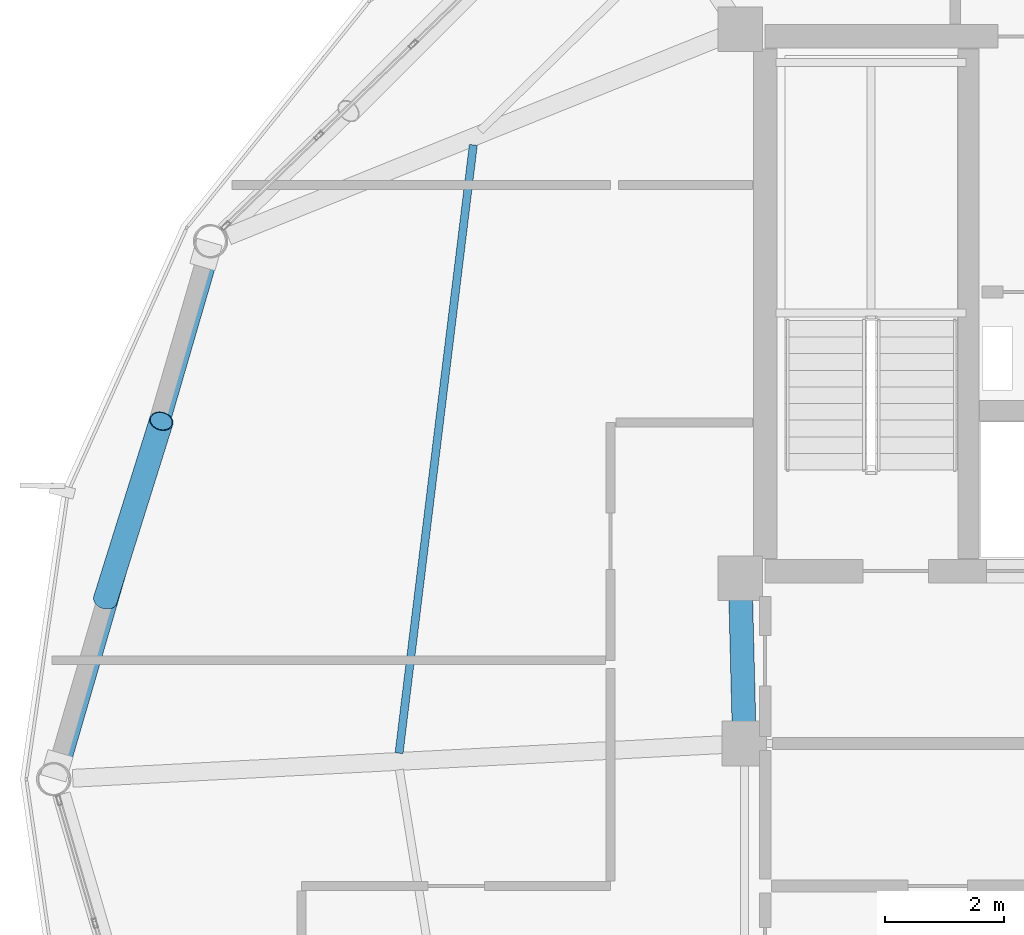
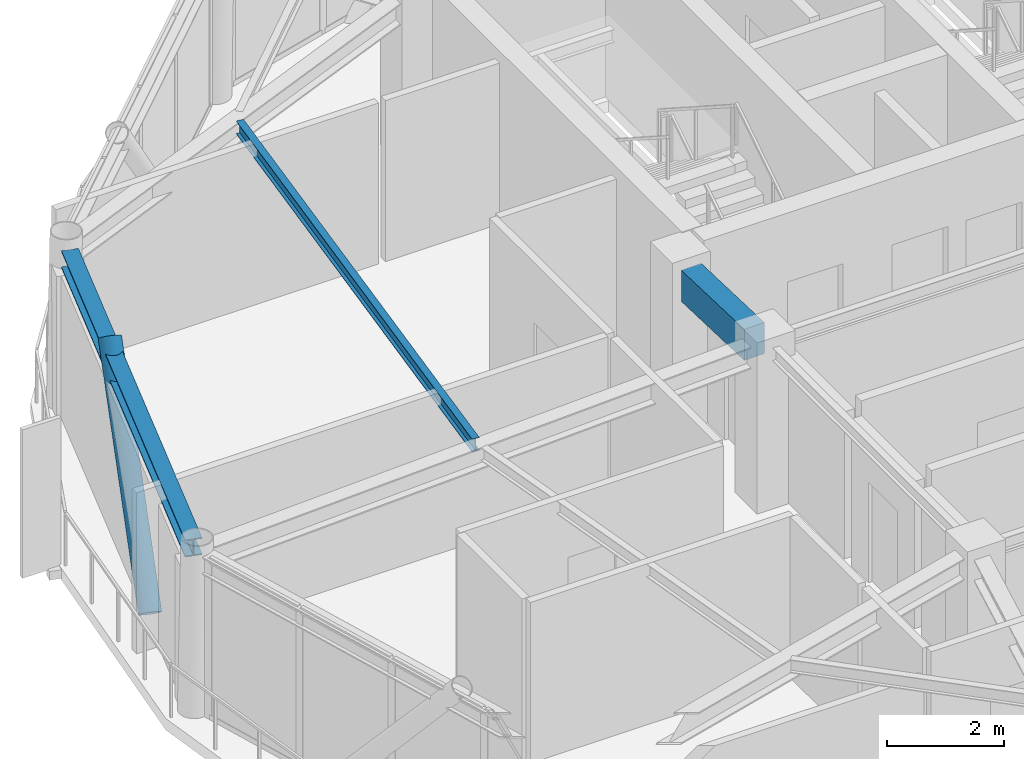
# One storey, part 12 of 27: 3 beams, 1 member.
"""IFC4 building model written with IfcOpenShell, lengths in metres."""

import ifcopenshell
import ifcopenshell.guid

model = None  # the IFC model being written
_history = None  # IfcOwnerHistory: only IFC2X3 demands one
_inside = {}  # id of a spatial element -> (the spatial element, [elements in it])
_under = {}  # id of a project, library or spatial element -> (it, [spatial elements below it])
_declared = {}  # id of a project -> (the project, [libraries it declares])
_typed = {}  # id of a type object -> (the type object, [elements of that type])
_made_of = {}  # id of a material, layer set ... -> (it, [elements and type objects made of it])


def new_model(schema):
    """Start an empty IFC model of exactly this schema.

    Asked for "IFC4X3", IfcOpenShell would pick the latest addendum, in which some entities
    have other attributes; the version numbers below select the first issue.
    IFC2X3 requires an IfcOwnerHistory on every rooted entity: one is made here for all.
    """
    global model, _history
    if schema == "IFC4X3":
        model = ifcopenshell.file(schema_version=(4, 3, 0, 0))
    else:
        model = ifcopenshell.file(schema=schema)
    _inside.clear()
    _under.clear()
    _declared.clear()
    _typed.clear()
    _made_of.clear()
    _history = None
    if model.schema == "IFC2X3":
        org = make("IfcOrganization", Name="unknown")
        user = make(
            "IfcPersonAndOrganization",
            ThePerson=make("IfcPerson", FamilyName="unknown"),
            TheOrganization=org,
        )
        app = make(
            "IfcApplication",
            ApplicationDeveloper=org,
            Version="unknown",
            ApplicationFullName="unknown",
            ApplicationIdentifier="unknown",
        )
        _history = make(
            "IfcOwnerHistory",
            OwningUser=user,
            OwningApplication=app,
            ChangeAction="ADDED",
            CreationDate=0,
        )
    return model


def make(cls, **values):
    """One entity of the class cls with the attributes given. An attribute that is None is left unset."""
    return model.create_entity(
        cls, **{name: value for name, value in values.items() if value is not None}
    )


def rooted(cls, **values):
    """An entity with a GlobalId (a new one), such as an element, a storey or a relation."""
    return make(cls, GlobalId=ifcopenshell.guid.new(), OwnerHistory=_history, **values)


def si_unit(unit_type, name, prefix=None):
    """IfcSIUnit, for example si_unit("LENGTHUNIT", "METRE", prefix="MILLI")."""
    return make("IfcSIUnit", UnitType=unit_type, Prefix=prefix, Name=name)


def assignment(units):
    """IfcUnitAssignment: the units of a project."""
    return None if units is None else make("IfcUnitAssignment", Units=units)


def point(xyz):
    """IfcCartesianPoint."""
    return None if xyz is None else make("IfcCartesianPoint", Coordinates=xyz)


def direction(xyz):
    """IfcDirection."""
    return None if xyz is None else make("IfcDirection", DirectionRatios=xyz)


def frame(location, z_axis=None, x_axis=None):
    """IfcAxis2Placement3D, a coordinate frame: its origin and axes. An axis left out is left unset."""
    return make(
        "IfcAxis2Placement3D",
        Location=point(location),
        Axis=direction(z_axis),
        RefDirection=direction(x_axis),
    )


def frame_2d(location, x_axis=None):
    """IfcAxis2Placement2D, a coordinate frame in the plane: its origin and x axis."""
    return make(
        "IfcAxis2Placement2D", Location=point(location), RefDirection=direction(x_axis)
    )


def origin():
    """The frame at (0, 0, 0) with its axes left unset."""
    return frame((0.0, 0.0, 0.0))


def origin_2d():
    """The frame at (0, 0) in the plane with its x axis left unset."""
    return frame_2d((0.0, 0.0))


def place(relative_to, where):
    """IfcLocalPlacement: puts the frame where relative to a parent placement (None: the world)."""
    return make(
        "IfcLocalPlacement", PlacementRelTo=relative_to, RelativePlacement=where
    )


def context(
    kind, dimensions, precision=None, world=None, true_north=None, identifier=None
):
    """IfcGeometricRepresentationContext, for example the 3D "Model" context."""
    return make(
        "IfcGeometricRepresentationContext",
        ContextIdentifier=identifier,
        ContextType=kind,
        CoordinateSpaceDimension=dimensions,
        Precision=precision,
        WorldCoordinateSystem=world,
        TrueNorth=true_north,
    )


def subcontext(parent, identifier, kind, view, scale=None):
    """IfcGeometricRepresentationSubContext, for example "Body" below "Model"."""
    return make(
        "IfcGeometricRepresentationSubContext",
        ContextIdentifier=identifier,
        ContextType=kind,
        ParentContext=parent,
        TargetScale=scale,
        TargetView=view,
    )


def project(units=None, contexts=None):
    """IfcProject with its units and contexts."""
    return rooted(
        "IfcProject",
        Name="project",
        RepresentationContexts=contexts,
        UnitsInContext=assignment(units),
    )


def spatial(cls, under=None, at=None, **own):
    """A site, building, storey or space (cls), placed at a placement, below another one or the project."""
    s = rooted(cls, ObjectPlacement=at, **own)
    if under is not None:
        _under.setdefault(under.id(), (under, []))[1].append(s)
    return s


def profile(cls, at=None, kind="AREA", **sizes):
    """A parametric profile (cls). Its sizes go by their IFC names, for example OverallWidth=200.0."""
    return make(cls, ProfileType=kind, Position=at, **sizes)


def rectangle(**sizes):
    """IfcRectangleProfileDef."""
    return profile("IfcRectangleProfileDef", **sizes)


def hollow_circle(**sizes):
    """IfcCircleHollowProfileDef."""
    return profile("IfcCircleHollowProfileDef", **sizes)


def i_section(**sizes):
    """IfcIShapeProfileDef."""
    return profile("IfcIShapeProfileDef", **sizes)


def extrude(swept, where, along, depth):
    """IfcExtrudedAreaSolid: the profile swept, set in the frame where, extruded along a direction by depth."""
    return make(
        "IfcExtrudedAreaSolid",
        SweptArea=swept,
        Position=where,
        ExtrudedDirection=direction(along),
        Depth=depth,
    )


def shape(context_of_items, identifier, shape_type, items):
    """IfcShapeRepresentation: the items that make up one representation, for example the "Body"."""
    return make(
        "IfcShapeRepresentation",
        ContextOfItems=context_of_items,
        RepresentationIdentifier=identifier,
        RepresentationType=shape_type,
        Items=items,
    )


def material(Name=None, Category=None):
    """IfcMaterial."""
    return make("IfcMaterial", Name=Name, Category=Category)


def material_profile(
    of_material, cross_section, Name=None, Category=None, Priority=None
):
    """IfcMaterialProfile: a cross section and its material."""
    return make(
        "IfcMaterialProfile",
        Name=Name,
        Material=of_material,
        Profile=cross_section,
        Priority=Priority,
        Category=Category,
    )


def profile_set(profiles, Name=None, composite=None):
    """IfcMaterialProfileSet."""
    return make(
        "IfcMaterialProfileSet",
        Name=Name,
        MaterialProfiles=profiles,
        CompositeProfile=composite,
    )


def made_of(thing, what):
    """Note that an element or type object is made of a material, layer set ...; save() writes the relation."""
    if what is not None:
        _made_of.setdefault(what.id(), (what, []))[1].append(thing)
    return thing


def type_object(cls, material=None, **own):
    """A type object (cls), such as IfcWallType, which elements share."""
    return made_of(rooted(cls, **own), material)


def element(
    cls,
    number,
    at=None,
    inside=None,
    cuts=None,
    type_object=None,
    material=None,
    context=None,
    identifier="Body",
    shape_type=None,
    held_by="IfcProductDefinitionShape",
    body=None,
    shapes=None,
    **own,
):
    """One element of the class cls, such as IfcWall. Its Tag is "e" and its number.

    at: its placement. inside: the storey or other place that contains it. cuts: it is an
    opening in that element (IfcRelVoidsElement). A single representation is given by context,
    identifier, shape_type and body (its items); several are given by shapes. held_by: the class
    of the entity that holds the representations. save() writes the other relations.
    """
    e = rooted(cls, Tag="e%d" % number, ObjectPlacement=at, **own)
    if body is not None:
        shapes = [shape(context, identifier, shape_type, body)]
    if shapes is not None:
        e.Representation = make(held_by, Representations=shapes)
    if inside is not None:
        _inside.setdefault(inside.id(), (inside, []))[1].append(e)
    if cuts is not None:
        rooted(
            "IfcRelVoidsElement", RelatingBuildingElement=cuts, RelatedOpeningElement=e
        )
    if type_object is not None:
        _typed.setdefault(type_object.id(), (type_object, []))[1].append(e)
    return made_of(e, material)


def aggregate(whole, parts):
    """IfcRelAggregates: a whole, such as a stair, and the parts it consists of."""
    return rooted("IfcRelAggregates", RelatingObject=whole, RelatedObjects=parts)


def save(model, path):
    """Write the relations noted so far, then the file.

    IfcRelAggregates (storeys below a building ...), IfcRelContainedInSpatialStructure (elements
    in a storey), IfcRelDefinesByType, IfcRelAssociatesMaterial and IfcRelDeclares: one each for
    every whole, place, type object, material and project.
    """
    for whole, parts in _under.values():
        aggregate(whole, parts)
    for where, things in _inside.values():
        rooted(
            "IfcRelContainedInSpatialStructure",
            RelatedElements=things,
            RelatingStructure=where,
        )
    for kind, things in _typed.values():
        rooted("IfcRelDefinesByType", RelatedObjects=things, RelatingType=kind)
    for what, things in _made_of.values():
        rooted("IfcRelAssociatesMaterial", RelatedObjects=things, RelatingMaterial=what)
    for by, libraries in _declared.values():
        rooted("IfcRelDeclares", RelatingContext=by, RelatedDefinitions=libraries)
    model.write(path)


model = new_model("IFC4")

# Units and contexts
model_context = context("Model", 3, precision=1e-05, world=origin(), true_north=direction((0.0, 1.0)))
body_context = subcontext(model_context, "Body", "Model", "MODEL_VIEW")
ifc_project = project(units=[si_unit("LENGTHUNIT", "METRE"), si_unit("AREAUNIT", "SQUARE_METRE"), si_unit("VOLUMEUNIT", "CUBIC_METRE"), si_unit("PLANEANGLEUNIT", "RADIAN"), si_unit("MASSUNIT", "GRAM", prefix="KILO")], contexts=[model_context])

# Site, building, storey
site_placement = place(None, origin())
site = spatial("IfcSite", under=ifc_project, at=site_placement, CompositionType="ELEMENT")
building_placement = place(site_placement, origin())
building = spatial("IfcBuilding", under=site, at=building_placement, Name="Varnakorn Sky Granary", CompositionType="ELEMENT")
storey_placement = place(building_placement, frame((0.0, 0.0, 229.199951171875)))
storey = spatial("IfcBuildingStorey", under=building, at=storey_placement, Name="L58", CompositionType="ELEMENT", Elevation=229.199951171875)

# Beams
ifc_material_1 = material(Name="Concrete C50/60", Category="concrete")
ifc_material_profile_1 = material_profile(ifc_material_1, rectangle(XDim=0.39990234375, YDim=0.64990234375, at=origin_2d()), Name="RC 400x650")
ifc_profile_set_1 = profile_set([ifc_material_profile_1], Name="Concrete C50/60")
beam_type_1 = type_object("IfcBeamType", Name="BM-LIN-650", PredefinedType="LINTEL", material=ifc_profile_set_1)
beam_1_placement = place(storey_placement, frame((-2.4111328125, 3.025146484375, 3.03515625), z_axis=(0.025227817192, -0.999681727971, 0.0), x_axis=(0.999681727971, 0.025227817192, 0.0)))
element("IfcBeam", 1, at=beam_1_placement, inside=storey, type_object=beam_type_1, Name="Core Spine Framing Beam 1 L58", PredefinedType="LINTEL", context=body_context, shape_type="SweptSolid", body=[
    extrude(rectangle(XDim=0.39990234375, YDim=0.64990234375, at=origin_2d()), origin(), (0.0, 0.0, 1.0), 2.071044921875),
])
ifc_material_2 = material(Name="Steel S355JR", Category="steel")
ifc_material_profile_2 = material_profile(ifc_material_2, i_section(OverallWidth=0.135009765625, OverallDepth=0.27001953125, WebThickness=0.006591796875, FlangeThickness=0.01025390625, at=origin_2d()), Name="IPE 270")
ifc_profile_set_2 = profile_set([ifc_material_profile_2], Name="Steel S355JR")
beam_type_2 = type_object("IfcBeamType", Name="BM-SEC-Z5", PredefinedType="BEAM", material=ifc_profile_set_2)
beam_2_placement = place(storey_placement, frame((-6.911376953125, 10.67236328125, 3.22509765625), z_axis=(-0.121196053745, -0.992628589431, 0.0), x_axis=(0.992628589431, -0.121196053745, 0.0)))
element("IfcBeam", 2, at=beam_2_placement, inside=storey, type_object=beam_type_2, Name="Secondary Floor Chord Beam MSB06 L58", PredefinedType="BEAM", context=body_context, shape_type="SweptSolid", body=[
    extrude(i_section(OverallWidth=0.135009765625, OverallDepth=0.27001953125, WebThickness=0.006591796875, FlangeThickness=0.01025390625, at=origin_2d()), origin(), (0.0, 0.0, 1.0), 10.311767578125),
])
ifc_material_profile_3 = material_profile(ifc_material_2, i_section(OverallWidth=0.300048828125, OverallDepth=0.360107421875, WebThickness=0.012451171875, FlangeThickness=0.0224609375, at=origin_2d()), Name="HE 360 B")
ifc_profile_set_3 = profile_set([ifc_material_profile_3], Name="Steel S355JR")
beam_type_3 = type_object("IfcBeamType", Name="BM-SPD-Z5", PredefinedType="SPANDREL", material=ifc_profile_set_3)
beam_3_placement = place(storey_placement, frame((-11.35888671875, 8.782470703125, 3.179931640625), z_axis=(-0.279549304116, -0.960131338187, 0.0), x_axis=(0.960131338187, -0.279549304116, 0.0)))
element("IfcBeam", 3, at=beam_3_placement, inside=storey, type_object=beam_type_3, Name="Perimeter Spandrel Ring Beam RB06 L58", PredefinedType="SPANDREL", context=body_context, shape_type="SweptSolid", body=[
    extrude(i_section(OverallWidth=0.300048828125, OverallDepth=0.360107421875, WebThickness=0.012451171875, FlangeThickness=0.0224609375, at=origin_2d()), origin(), (0.0, 0.0, 1.0), 8.8828125),
])

# Member
ifc_material_3 = material(Name="Steel S460M", Category="steel")
ifc_material_profile_4 = material_profile(ifc_material_3, hollow_circle(Radius=0.203125, WallThickness=0.01611328125, at=origin_2d()), Name="CHS 406.4x16")
ifc_profile_set_4 = profile_set([ifc_material_profile_4], Name="Steel S460M")
member_type = type_object("IfcMemberType", Name="MB-DIAG-T4", PredefinedType="BRACE", material=ifc_profile_set_4)
member_placement = place(storey_placement, frame((-13.10400390625, 3.017822265625, -0.1298828125), z_axis=(0.196318513905, 0.626499740539, 0.754292460656), x_axis=(-0.954246675681, 0.299020537674, 0.0)))
element("IfcMember", 4, at=member_placement, inside=storey, type_object=member_type, Name="Perimeter CHS Diagrid Brace DG06 L58", PredefinedType="BRACE", context=body_context, shape_type="SweptSolid", body=[
    extrude(hollow_circle(Radius=0.203125, WallThickness=0.01611328125, at=origin_2d()), origin(), (0.0, 0.0, 1.0), 4.799072265625),
])

save(model, "model.ifc")
